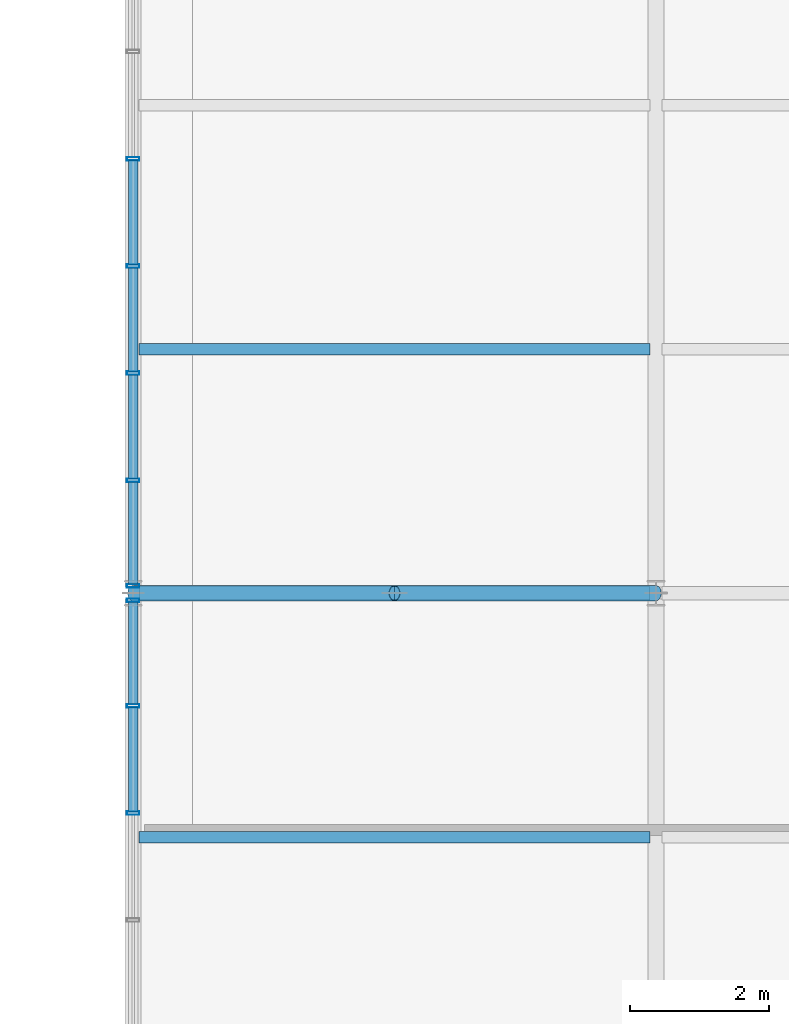
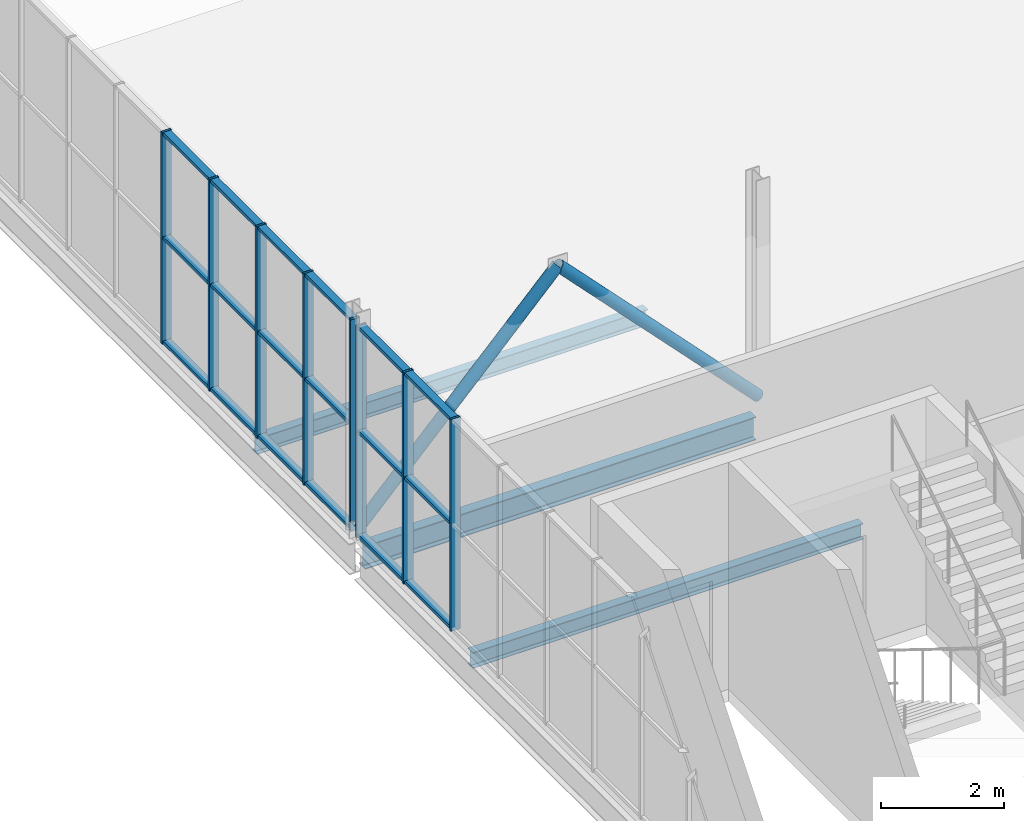
# One storey, part 40 of 104: 28 members, 3 beams, 2 elements without a shape of their own.
"""IFC4 building model written with IfcOpenShell, lengths in metres."""

from ifc_helpers import new_model, si_unit, direction, frame, origin, origin_2d, place, context, subcontext, project, spatial, hollow_rectangle, hollow_circle, i_section, extrude, material, layer, layer_set, material_profile, profile_set, type_object, element, aggregate, save


model = new_model("IFC4")

# Units and contexts
model_context = context("Model", 3, precision=1e-05, world=origin(), true_north=direction((0.0, 1.0)))
body_context = subcontext(model_context, "Body", "Model", "MODEL_VIEW")
ifc_project = project(units=[si_unit("LENGTHUNIT", "METRE"), si_unit("AREAUNIT", "SQUARE_METRE"), si_unit("VOLUMEUNIT", "CUBIC_METRE"), si_unit("PLANEANGLEUNIT", "RADIAN"), si_unit("MASSUNIT", "GRAM", prefix="KILO")], contexts=[model_context])

# Site, building, storey
site_placement = place(None, origin())
site = spatial("IfcSite", under=ifc_project, at=site_placement, CompositionType="ELEMENT")
building_placement = place(site_placement, origin())
building = spatial("IfcBuilding", under=site, at=building_placement, Name="Solvenia Promenade Tram Depot", CompositionType="ELEMENT")
storey_placement = place(building_placement, frame((0.0, 0.0, 9.0)))
storey = spatial("IfcBuildingStorey", under=building, at=storey_placement, Name="L02", CompositionType="ELEMENT", Elevation=9.0)

# Beam
ifc_material_1 = material(Name="Structural steel ASTM A992 Gr. 50", Category="steel")
ifc_material_profile_1 = material_profile(ifc_material_1, i_section(OverallWidth=0.19091796875, OverallDepth=0.4599609375, WebThickness=0.010009765625, FlangeThickness=0.01611328125, FilletRadius=0.012939453125, at=origin_2d()), Name="W460x82", Category="steel")
ifc_profile_set_1 = profile_set([ifc_material_profile_1], Name="Structural steel ASTM A992 Gr. 50")
beam_type_1 = type_object("IfcBeamType", Name="Beam-W460x82", PredefinedType="BEAM", material=ifc_profile_set_1)
beam_placement = place(storey_placement, frame((105.0849609375, 52.0, -0.469970703125), z_axis=(1.0, 0.0, 0.0), x_axis=(0.0, 1.0, 0.0)))
element("IfcBeam", 1, at=beam_placement, inside=storey, type_object=beam_type_1, Name="Primary Girder BM-L02-0455", PredefinedType="BEAM", context=body_context, shape_type="SweptSolid", body=[
    extrude(i_section(OverallWidth=0.19091796875, OverallDepth=0.4599609375, WebThickness=0.010009765625, FlangeThickness=0.01611328125, FilletRadius=0.012939453125, at=origin_2d()), origin(), (0.0, 0.0, 1.0), 7.330078125),
])

# Members
ifc_material_2 = material(Name="Structural steel ASTM A500 Gr. C", Category="steel")
ifc_material_profile_2 = material_profile(ifc_material_2, hollow_circle(Radius=0.109619140625, WallThickness=0.008056640625, at=origin_2d()), Name="CHS219.1x8", Category="steel")
ifc_profile_set_2 = profile_set([ifc_material_profile_2], Name="Structural steel ASTM A500 Gr. C")
member_type_1 = type_object("IfcMemberType", Name="Brace-CHS219x8", PredefinedType="BRACE", material=ifc_profile_set_2)
for number, where, z_axis, x_axis, name in (
    (2, (105.0, 52.0, 0.10009765625), (0.693117734231, 0.0, 0.720824393659), (0.0, 1.0, 0.0), "PAC-DES Chevron Brace 09L"),
    (3, (112.5, 52.0, 0.10009765625), (-0.693117734231, 0.0, 0.720824393659), (0.0, -1.0, 0.0), "PAC-DES Chevron Brace 09R"),
):
    element("IfcMember", number, at=place(storey_placement, frame(where, z_axis=z_axis, x_axis=x_axis)), inside=storey, type_object=member_type_1, Name=name, PredefinedType="BRACE", context=body_context, shape_type="SweptSolid", body=[
        extrude(hollow_circle(Radius=0.109619140625, WallThickness=0.008056640625, at=origin_2d()), origin(), (0.0, 0.0, 1.0), 5.410400390625),
    ])

# Curtain wall, members
ifc_material_3 = material(Name="Anodized aluminium AW-6063 T6", Category="aluminium")
ifc_layer = layer(ifc_material_3, 0.14990234375, Name="Anodized aluminium AW-6063 T6", Category="aluminium")
ifc_layer_set = layer_set([ifc_layer], Name="Anodized aluminium AW-6063 T6")
curtain_wall_type = type_object("IfcCurtainWallType", Name="CW-Court-1500", PredefinedType="NOTDEFINED", material=ifc_layer_set)
curtain_wall_1_placement = place(storey_placement, origin())
curtain_wall_1 = element("IfcCurtainWall", 4, at=curtain_wall_1_placement, inside=storey, type_object=curtain_wall_type, Name="Curtain Wall CW-V2W-L2-1", PredefinedType="NOTDEFINED")
ifc_material_profile_3 = material_profile(ifc_material_3, hollow_rectangle(XDim=0.179931640625, YDim=0.050048828125, WallThickness=0.00390625, at=origin_2d()), Name="ALU-M2", Category="aluminium")
ifc_profile_set_3 = profile_set([ifc_material_profile_3], Name="Anodized aluminium AW-6063 T6")
member_type_2 = type_object("IfcMemberType", Name="CWM-Mullion-2", PredefinedType="MULLION", material=ifc_profile_set_3)
member_1_placement = place(storey_placement, frame((105.0, 48.844482421875, 0.0), z_axis=(0.0, 0.0, 1.0), x_axis=(-1.0, 0.0, 0.0)))
member_1 = element("IfcMember", 5, at=member_1_placement, type_object=member_type_2, Name="CW-5 mullion 8", PredefinedType="MULLION", context=body_context, shape_type="SweptSolid", body=[
    extrude(hollow_rectangle(XDim=0.179931640625, YDim=0.050048828125, WallThickness=0.00390625, at=origin_2d()), origin(), (0.0, 0.0, 1.0), 4.199951171875),
])
member_2_placement = place(storey_placement, frame((105.0, 50.38232421875, 0.0), z_axis=(0.0, 0.0, 1.0), x_axis=(-1.0, 0.0, 0.0)))
member_2 = element("IfcMember", 6, at=member_2_placement, type_object=member_type_2, Name="CW-5 mullion 9", PredefinedType="MULLION", context=body_context, shape_type="SweptSolid", body=[
    extrude(hollow_rectangle(XDim=0.179931640625, YDim=0.050048828125, WallThickness=0.00390625, at=origin_2d()), origin(), (0.0, 0.0, 1.0), 4.199951171875),
])
member_3_placement = place(storey_placement, frame((105.0, 51.89501953125, 0.0), z_axis=(0.0, 0.0, 1.0), x_axis=(-1.0, 0.0, 0.0)))
member_3 = element("IfcMember", 7, at=member_3_placement, type_object=member_type_2, Name="CW-5 mullion 10", PredefinedType="MULLION", context=body_context, shape_type="SweptSolid", body=[
    extrude(hollow_rectangle(XDim=0.179931640625, YDim=0.050048828125, WallThickness=0.00390625, at=origin_2d()), origin(), (0.0, 0.0, 1.0), 4.199951171875),
])

curtain_wall_2_placement = place(storey_placement, origin())
curtain_wall_2 = element("IfcCurtainWall", 8, at=curtain_wall_2_placement, inside=storey, type_object=curtain_wall_type, Name="Curtain Wall CW-V2W-L2-2", PredefinedType="NOTDEFINED")
member_4_placement = place(storey_placement, frame((105.0, 52.10498046875, 0.0), z_axis=(0.0, 0.0, 1.0), x_axis=(-1.0, 0.0, 0.0)))
member_4 = element("IfcMember", 9, at=member_4_placement, type_object=member_type_2, Name="CW-5 mullion 1", PredefinedType="MULLION", context=body_context, shape_type="SweptSolid", body=[
    extrude(hollow_rectangle(XDim=0.179931640625, YDim=0.050048828125, WallThickness=0.00390625, at=origin_2d()), origin(), (0.0, 0.0, 1.0), 4.199951171875),
])
member_5_placement = place(storey_placement, frame((105.0, 53.61767578125, 0.0), z_axis=(0.0, 0.0, 1.0), x_axis=(-1.0, 0.0, 0.0)))
member_5 = element("IfcMember", 10, at=member_5_placement, type_object=member_type_2, Name="CW-5 mullion 2", PredefinedType="MULLION", context=body_context, shape_type="SweptSolid", body=[
    extrude(hollow_rectangle(XDim=0.179931640625, YDim=0.050048828125, WallThickness=0.00390625, at=origin_2d()), origin(), (0.0, 0.0, 1.0), 4.199951171875),
])
member_6_placement = place(storey_placement, frame((105.0, 55.155517578125, 0.0), z_axis=(0.0, 0.0, 1.0), x_axis=(-1.0, 0.0, 0.0)))
member_6 = element("IfcMember", 11, at=member_6_placement, type_object=member_type_2, Name="CW-5 mullion 3", PredefinedType="MULLION", context=body_context, shape_type="SweptSolid", body=[
    extrude(hollow_rectangle(XDim=0.179931640625, YDim=0.050048828125, WallThickness=0.00390625, at=origin_2d()), origin(), (0.0, 0.0, 1.0), 4.199951171875),
])
member_7_placement = place(storey_placement, frame((105.0, 56.693359375, 0.0), z_axis=(0.0, 0.0, 1.0), x_axis=(-1.0, 0.0, 0.0)))
member_7 = element("IfcMember", 12, at=member_7_placement, type_object=member_type_2, Name="CW-5 mullion 4", PredefinedType="MULLION", context=body_context, shape_type="SweptSolid", body=[
    extrude(hollow_rectangle(XDim=0.179931640625, YDim=0.050048828125, WallThickness=0.00390625, at=origin_2d()), origin(), (0.0, 0.0, 1.0), 4.199951171875),
])
member_8_placement = place(storey_placement, frame((105.0, 58.231201171875, 0.0), z_axis=(0.0, 0.0, 1.0), x_axis=(-1.0, 0.0, 0.0)))
member_8 = element("IfcMember", 13, at=member_8_placement, type_object=member_type_2, Name="CW-5 mullion 5", PredefinedType="MULLION", context=body_context, shape_type="SweptSolid", body=[
    extrude(hollow_rectangle(XDim=0.179931640625, YDim=0.050048828125, WallThickness=0.00390625, at=origin_2d()), origin(), (0.0, 0.0, 1.0), 4.199951171875),
])

# Member
ifc_material_profile_4 = material_profile(ifc_material_3, hollow_rectangle(XDim=0.139892578125, YDim=0.06494140625, WallThickness=0.00390625, at=origin_2d()), Name="ALU-T2", Category="aluminium")
ifc_profile_set_4 = profile_set([ifc_material_profile_4], Name="Anodized aluminium AW-6063 T6")
member_type_3 = type_object("IfcMemberType", Name="CWT-Transom-2", PredefinedType="USERDEFINED", material=ifc_profile_set_4)
member_9_placement = place(storey_placement, frame((105.0, 48.869384765625, 0.032470703125), z_axis=(0.0, 1.0, 0.0), x_axis=(-1.0, 0.0, 0.0)))
member_9 = element("IfcMember", 14, at=member_9_placement, type_object=member_type_3, Name="CW-5 transom 8.1", ObjectType="TRANSOM", PredefinedType="USERDEFINED", context=body_context, shape_type="SweptSolid", body=[
    extrude(hollow_rectangle(XDim=0.139892578125, YDim=0.06494140625, WallThickness=0.00390625, at=origin_2d()), origin(), (0.0, 0.0, 1.0), 1.48779296875),
])

member_10_placement = place(storey_placement, frame((105.0, 48.869384765625, 2.10009765625), z_axis=(0.0, 1.0, 0.0), x_axis=(-1.0, 0.0, 0.0)))
member_10 = element("IfcMember", 15, at=member_10_placement, type_object=member_type_3, Name="CW-5 transom 8.2", ObjectType="TRANSOM", PredefinedType="USERDEFINED", context=body_context, shape_type="SweptSolid", body=[
    extrude(hollow_rectangle(XDim=0.139892578125, YDim=0.06494140625, WallThickness=0.00390625, at=origin_2d()), origin(), (0.0, 0.0, 1.0), 1.48779296875),
])

member_11_placement = place(storey_placement, frame((105.0, 48.869384765625, 4.16748046875), z_axis=(0.0, 1.0, 0.0), x_axis=(-1.0, 0.0, 0.0)))
member_11 = element("IfcMember", 16, at=member_11_placement, type_object=member_type_3, Name="CW-5 transom 8.3", ObjectType="TRANSOM", PredefinedType="USERDEFINED", context=body_context, shape_type="SweptSolid", body=[
    extrude(hollow_rectangle(XDim=0.139892578125, YDim=0.06494140625, WallThickness=0.00390625, at=origin_2d()), origin(), (0.0, 0.0, 1.0), 1.48779296875),
])

member_12_placement = place(storey_placement, frame((105.0, 50.4072265625, 0.032470703125), z_axis=(0.0, 1.0, 0.0), x_axis=(-1.0, 0.0, 0.0)))
member_12 = element("IfcMember", 17, at=member_12_placement, type_object=member_type_3, Name="CW-5 transom 9.1", ObjectType="TRANSOM", PredefinedType="USERDEFINED", context=body_context, shape_type="SweptSolid", body=[
    extrude(hollow_rectangle(XDim=0.139892578125, YDim=0.06494140625, WallThickness=0.00390625, at=origin_2d()), origin(), (0.0, 0.0, 1.0), 1.462890625),
])

member_13_placement = place(storey_placement, frame((105.0, 50.4072265625, 2.10009765625), z_axis=(0.0, 1.0, 0.0), x_axis=(-1.0, 0.0, 0.0)))
member_13 = element("IfcMember", 18, at=member_13_placement, type_object=member_type_3, Name="CW-5 transom 9.2", ObjectType="TRANSOM", PredefinedType="USERDEFINED", context=body_context, shape_type="SweptSolid", body=[
    extrude(hollow_rectangle(XDim=0.139892578125, YDim=0.06494140625, WallThickness=0.00390625, at=origin_2d()), origin(), (0.0, 0.0, 1.0), 1.462890625),
])

member_14_placement = place(storey_placement, frame((105.0, 50.4072265625, 4.16748046875), z_axis=(0.0, 1.0, 0.0), x_axis=(-1.0, 0.0, 0.0)))
member_14 = element("IfcMember", 19, at=member_14_placement, type_object=member_type_3, Name="CW-5 transom 9.3", ObjectType="TRANSOM", PredefinedType="USERDEFINED", context=body_context, shape_type="SweptSolid", body=[
    extrude(hollow_rectangle(XDim=0.139892578125, YDim=0.06494140625, WallThickness=0.00390625, at=origin_2d()), origin(), (0.0, 0.0, 1.0), 1.462890625),
])

aggregate(curtain_wall_1, [member_1, member_2, member_3, member_9, member_10, member_11, member_12, member_13, member_14])

member_15_placement = place(storey_placement, frame((105.0, 52.1298828125, 0.032470703125), z_axis=(0.0, 1.0, 0.0), x_axis=(-1.0, 0.0, 0.0)))
member_15 = element("IfcMember", 20, at=member_15_placement, type_object=member_type_3, Name="CW-5 transom 1.1", ObjectType="TRANSOM", PredefinedType="USERDEFINED", context=body_context, shape_type="SweptSolid", body=[
    extrude(hollow_rectangle(XDim=0.139892578125, YDim=0.06494140625, WallThickness=0.00390625, at=origin_2d()), origin(), (0.0, 0.0, 1.0), 1.462890625),
])

member_16_placement = place(storey_placement, frame((105.0, 52.1298828125, 2.10009765625), z_axis=(0.0, 1.0, 0.0), x_axis=(-1.0, 0.0, 0.0)))
member_16 = element("IfcMember", 21, at=member_16_placement, type_object=member_type_3, Name="CW-5 transom 1.2", ObjectType="TRANSOM", PredefinedType="USERDEFINED", context=body_context, shape_type="SweptSolid", body=[
    extrude(hollow_rectangle(XDim=0.139892578125, YDim=0.06494140625, WallThickness=0.00390625, at=origin_2d()), origin(), (0.0, 0.0, 1.0), 1.462890625),
])

member_17_placement = place(storey_placement, frame((105.0, 52.1298828125, 4.16748046875), z_axis=(0.0, 1.0, 0.0), x_axis=(-1.0, 0.0, 0.0)))
member_17 = element("IfcMember", 22, at=member_17_placement, type_object=member_type_3, Name="CW-5 transom 1.3", ObjectType="TRANSOM", PredefinedType="USERDEFINED", context=body_context, shape_type="SweptSolid", body=[
    extrude(hollow_rectangle(XDim=0.139892578125, YDim=0.06494140625, WallThickness=0.00390625, at=origin_2d()), origin(), (0.0, 0.0, 1.0), 1.462890625),
])

member_18_placement = place(storey_placement, frame((105.0, 53.642822265625, 0.032470703125), z_axis=(0.0, 1.0, 0.0), x_axis=(-1.0, 0.0, 0.0)))
member_18 = element("IfcMember", 23, at=member_18_placement, type_object=member_type_3, Name="CW-5 transom 2.1", ObjectType="TRANSOM", PredefinedType="USERDEFINED", context=body_context, shape_type="SweptSolid", body=[
    extrude(hollow_rectangle(XDim=0.139892578125, YDim=0.06494140625, WallThickness=0.00390625, at=origin_2d()), origin(), (0.0, 0.0, 1.0), 1.48779296875),
])

member_19_placement = place(storey_placement, frame((105.0, 53.642822265625, 2.10009765625), z_axis=(0.0, 1.0, 0.0), x_axis=(-1.0, 0.0, 0.0)))
member_19 = element("IfcMember", 24, at=member_19_placement, type_object=member_type_3, Name="CW-5 transom 2.2", ObjectType="TRANSOM", PredefinedType="USERDEFINED", context=body_context, shape_type="SweptSolid", body=[
    extrude(hollow_rectangle(XDim=0.139892578125, YDim=0.06494140625, WallThickness=0.00390625, at=origin_2d()), origin(), (0.0, 0.0, 1.0), 1.48779296875),
])

member_20_placement = place(storey_placement, frame((105.0, 53.642822265625, 4.16748046875), z_axis=(0.0, 1.0, 0.0), x_axis=(-1.0, 0.0, 0.0)))
member_20 = element("IfcMember", 25, at=member_20_placement, type_object=member_type_3, Name="CW-5 transom 2.3", ObjectType="TRANSOM", PredefinedType="USERDEFINED", context=body_context, shape_type="SweptSolid", body=[
    extrude(hollow_rectangle(XDim=0.139892578125, YDim=0.06494140625, WallThickness=0.00390625, at=origin_2d()), origin(), (0.0, 0.0, 1.0), 1.48779296875),
])

member_21_placement = place(storey_placement, frame((105.0, 55.1806640625, 0.032470703125), z_axis=(0.0, 1.0, 0.0), x_axis=(-1.0, 0.0, 0.0)))
member_21 = element("IfcMember", 26, at=member_21_placement, type_object=member_type_3, Name="CW-5 transom 3.1", ObjectType="TRANSOM", PredefinedType="USERDEFINED", context=body_context, shape_type="SweptSolid", body=[
    extrude(hollow_rectangle(XDim=0.139892578125, YDim=0.06494140625, WallThickness=0.00390625, at=origin_2d()), origin(), (0.0, 0.0, 1.0), 1.487548828125),
])

member_22_placement = place(storey_placement, frame((105.0, 55.1806640625, 2.10009765625), z_axis=(0.0, 1.0, 0.0), x_axis=(-1.0, 0.0, 0.0)))
member_22 = element("IfcMember", 27, at=member_22_placement, type_object=member_type_3, Name="CW-5 transom 3.2", ObjectType="TRANSOM", PredefinedType="USERDEFINED", context=body_context, shape_type="SweptSolid", body=[
    extrude(hollow_rectangle(XDim=0.139892578125, YDim=0.06494140625, WallThickness=0.00390625, at=origin_2d()), origin(), (0.0, 0.0, 1.0), 1.487548828125),
])

member_23_placement = place(storey_placement, frame((105.0, 55.1806640625, 4.16748046875), z_axis=(0.0, 1.0, 0.0), x_axis=(-1.0, 0.0, 0.0)))
member_23 = element("IfcMember", 28, at=member_23_placement, type_object=member_type_3, Name="CW-5 transom 3.3", ObjectType="TRANSOM", PredefinedType="USERDEFINED", context=body_context, shape_type="SweptSolid", body=[
    extrude(hollow_rectangle(XDim=0.139892578125, YDim=0.06494140625, WallThickness=0.00390625, at=origin_2d()), origin(), (0.0, 0.0, 1.0), 1.487548828125),
])

member_24_placement = place(storey_placement, frame((105.0, 56.71826171875, 0.032470703125), z_axis=(0.0, 1.0, 0.0), x_axis=(-1.0, 0.0, 0.0)))
member_24 = element("IfcMember", 29, at=member_24_placement, type_object=member_type_3, Name="CW-5 transom 4.1", ObjectType="TRANSOM", PredefinedType="USERDEFINED", context=body_context, shape_type="SweptSolid", body=[
    extrude(hollow_rectangle(XDim=0.139892578125, YDim=0.06494140625, WallThickness=0.00390625, at=origin_2d()), origin(), (0.0, 0.0, 1.0), 1.48779296875),
])

member_25_placement = place(storey_placement, frame((105.0, 56.71826171875, 2.10009765625), z_axis=(0.0, 1.0, 0.0), x_axis=(-1.0, 0.0, 0.0)))
member_25 = element("IfcMember", 30, at=member_25_placement, type_object=member_type_3, Name="CW-5 transom 4.2", ObjectType="TRANSOM", PredefinedType="USERDEFINED", context=body_context, shape_type="SweptSolid", body=[
    extrude(hollow_rectangle(XDim=0.139892578125, YDim=0.06494140625, WallThickness=0.00390625, at=origin_2d()), origin(), (0.0, 0.0, 1.0), 1.48779296875),
])

member_26_placement = place(storey_placement, frame((105.0, 56.71826171875, 4.16748046875), z_axis=(0.0, 1.0, 0.0), x_axis=(-1.0, 0.0, 0.0)))
member_26 = element("IfcMember", 31, at=member_26_placement, type_object=member_type_3, Name="CW-5 transom 4.3", ObjectType="TRANSOM", PredefinedType="USERDEFINED", context=body_context, shape_type="SweptSolid", body=[
    extrude(hollow_rectangle(XDim=0.139892578125, YDim=0.06494140625, WallThickness=0.00390625, at=origin_2d()), origin(), (0.0, 0.0, 1.0), 1.48779296875),
])

aggregate(curtain_wall_2, [member_4, member_5, member_6, member_7, member_8, member_15, member_16, member_17, member_18, member_19, member_20, member_21, member_22, member_23, member_24, member_25, member_26])

# Beams
ifc_material_profile_5 = material_profile(ifc_material_1, i_section(OverallWidth=0.166015625, OverallDepth=0.31298828125, WebThickness=0.006591796875, FlangeThickness=0.01123046875, FilletRadius=0.010009765625, at=origin_2d()), Name="W310x45", Category="steel")
ifc_profile_set_5 = profile_set([ifc_material_profile_5], Name="Structural steel ASTM A992 Gr. 50")
beam_type_2 = type_object("IfcBeamType", Name="Joist-W310x45", PredefinedType="JOIST", material=ifc_profile_set_5)
for number, where, z_axis, x_axis, name in (
    (32, (105.0849609375, 48.5, -0.396484375), (1.0, 0.0, 0.0), (0.0, 1.0, 0.0), "Secondary Floor Joist BM-L02-0485"),
    (33, (105.0849609375, 55.5, -0.396484375), (1.0, 0.0, 0.0), (0.0, 1.0, 0.0), "Secondary Floor Joist BM-L02-0486"),
):
    element("IfcBeam", number, at=place(storey_placement, frame(where, z_axis=z_axis, x_axis=x_axis)), inside=storey, type_object=beam_type_2, Name=name, PredefinedType="JOIST", context=body_context, shape_type="SweptSolid", body=[
        extrude(i_section(OverallWidth=0.166015625, OverallDepth=0.31298828125, WebThickness=0.006591796875, FlangeThickness=0.01123046875, FilletRadius=0.010009765625, at=origin_2d()), origin(), (0.0, 0.0, 1.0), 7.330078125),
    ])

save(model, "model.ifc")
